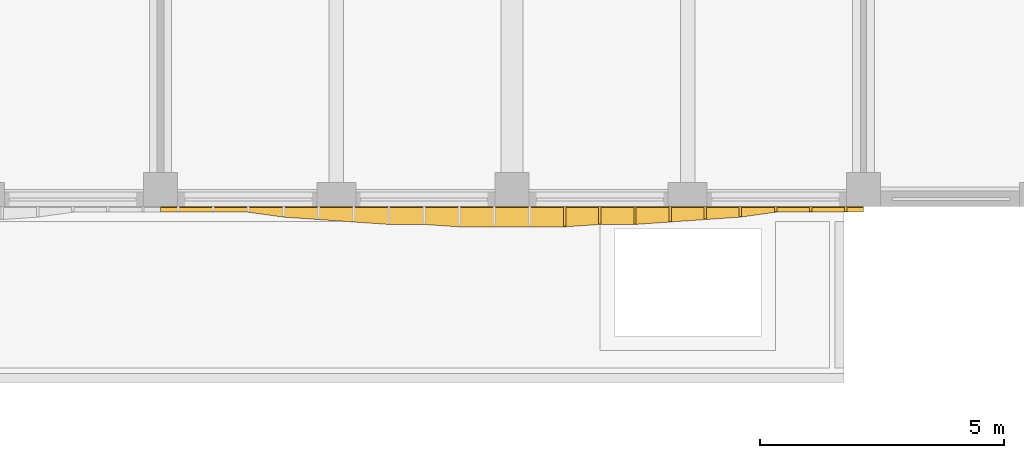
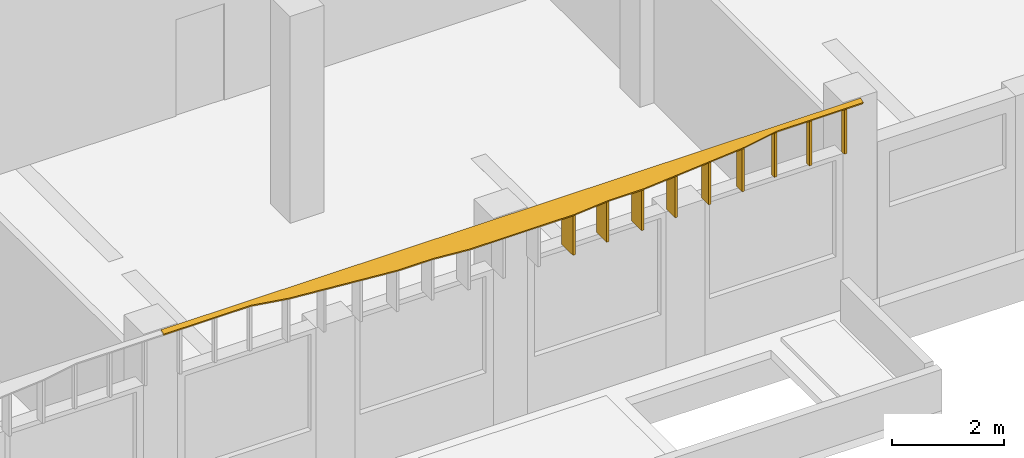
# One storey, part 53 of 59: 10 shading devices.
"""IFC4 building model written with IfcOpenShell, lengths in metres."""

from ifc_helpers import new_model, si_unit, direction, frame, origin, place, context, subcontext, project, spatial, polyline, outline, extrude, material, layer, layer_set, type_object, element, save


model = new_model("IFC4")

# Units and contexts
model_context = context("Model", 3, precision=1e-05, world=origin(), true_north=direction((0.0, 1.0)))
body_context = subcontext(model_context, "Body", "Model", "MODEL_VIEW")
ifc_project = project(units=[si_unit("LENGTHUNIT", "METRE"), si_unit("AREAUNIT", "SQUARE_METRE"), si_unit("VOLUMEUNIT", "CUBIC_METRE"), si_unit("PLANEANGLEUNIT", "RADIAN"), si_unit("MASSUNIT", "GRAM", prefix="KILO")], contexts=[model_context])

# Site, building, storey
site_placement = place(None, origin())
site = spatial("IfcSite", under=ifc_project, at=site_placement, CompositionType="ELEMENT")
building_placement = place(site_placement, origin())
building = spatial("IfcBuilding", under=site, at=building_placement, Name="Ussher Court Research Institute", CompositionType="ELEMENT")
storey_placement = place(building_placement, frame((0.0, 0.0, 5.39990234375)))
storey = spatial("IfcBuildingStorey", under=building, at=storey_placement, Name="L01", CompositionType="ELEMENT", Elevation=5.39990234375)

# Shading devices
ifc_material_1 = material(Name="Bronze anodised aluminium", Category="aluminium")
ifc_layer_1 = layer(ifc_material_1, 0.050048828125)
ifc_layer_set_1 = layer_set([ifc_layer_1], Name="Bronze anodised aluminium")
shading_device_type_1 = type_object("IfcShadingDeviceType", Name="Brim blade 100 mm deep 1000 mm high canted 20 deg dry", PredefinedType="USERDEFINED", material=ifc_layer_set_1)
for number, where, z_axis, x_axis, name in (
    (1, (81.840087890625, 68.39990234375, 3.4501953125), (0.0, 0.0, 1.0), (0.0, -1.0, 0.0), "Brim blade BS17 L01"),
    (2, (81.1201171875, 68.39990234375, 3.4501953125), (0.0, 0.0, 1.0), (0.0, -1.0, 0.0), "Brim blade BS17 L01"),
    (3, (80.39990234375, 68.39990234375, 3.4501953125), (0.0, 0.0, 1.0), (0.0, -1.0, 0.0), "Brim blade BS17 L01"),
):
    element("IfcShadingDevice", number, at=place(storey_placement, frame(where, z_axis=z_axis, x_axis=x_axis)), inside=storey, type_object=shading_device_type_1, Name=name, ObjectType="BLADE", PredefinedType="USERDEFINED", context=body_context, shape_type="SweptSolid", body=[
        extrude(outline(polyline([(0.0, 0.0), (0.099853515625, 0.0), (0.10009765625, 0.963623046875), (0.0, 1.0), (0.0, 0.0)])), frame((0.0, 0.02490234375, 0.0), z_axis=(0.0, -1.0, 0.0), x_axis=(1.0, 0.0, 0.0)), (0.0, 0.0, 1.0), 0.050048828125),
    ])
ifc_material_2 = material(Name="Bronze anodised aluminium", Category="aluminium")
ifc_layer_2 = layer(ifc_material_2, 0.050048828125)
ifc_layer_set_2 = layer_set([ifc_layer_2], Name="Bronze anodised aluminium")
shading_device_type_2 = type_object("IfcShadingDeviceType", Name="Brim blade 200 mm deep 1000 mm high canted 20 deg dry", PredefinedType="USERDEFINED", material=ifc_layer_set_2)
shading_device_1_placement = place(storey_placement, frame((79.679931640625, 68.39990234375, 3.4501953125), z_axis=(0.0, 0.0, 1.0), x_axis=(0.0, -1.0, 0.0)))
element("IfcShadingDevice", 4, at=shading_device_1_placement, inside=storey, type_object=shading_device_type_2, Name="Brim blade BS15 L01", ObjectType="BLADE", PredefinedType="USERDEFINED", context=body_context, shape_type="SweptSolid", body=[
    extrude(outline(polyline([(0.0, 0.0), (0.199951171875, 0.0), (0.199951171875, 0.927001953125), (0.0, 1.0), (0.0, 0.0)])), frame((0.0, 0.02490234375, 0.0), z_axis=(0.0, -1.0, 0.0), x_axis=(1.0, 0.0, 0.0)), (0.0, 0.0, 1.0), 0.050048828125),
])
ifc_material_3 = material(Name="Bronze anodised aluminium", Category="aluminium")
ifc_layer_3 = layer(ifc_material_3, 0.050048828125)
ifc_layer_set_3 = layer_set([ifc_layer_3], Name="Bronze anodised aluminium")
shading_device_type_3 = type_object("IfcShadingDeviceType", Name="Brim blade 250 mm deep 1000 mm high canted 20 deg dry", PredefinedType="USERDEFINED", material=ifc_layer_set_3)
shading_device_2_placement = place(storey_placement, frame((78.9599609375, 68.39990234375, 3.4501953125), z_axis=(0.0, 0.0, 1.0), x_axis=(0.0, -1.0, 0.0)))
element("IfcShadingDevice", 5, at=shading_device_2_placement, inside=storey, type_object=shading_device_type_3, Name="Brim blade BS14 L01", ObjectType="BLADE", PredefinedType="USERDEFINED", context=body_context, shape_type="SweptSolid", body=[
    extrude(outline(polyline([(0.0, 0.0), (0.25, 0.0), (0.25, 0.908935546875), (0.0, 1.0), (0.0, 0.0)])), frame((0.0, 0.02490234375, 0.0), z_axis=(0.0, -1.0, 0.0), x_axis=(1.0, 0.0, 0.0)), (0.0, 0.0, 1.0), 0.050048828125),
])
ifc_material_4 = material(Name="Bronze anodised aluminium", Category="aluminium")
ifc_layer_4 = layer(ifc_material_4, 0.050048828125)
ifc_layer_set_4 = layer_set([ifc_layer_4], Name="Bronze anodised aluminium")
shading_device_type_4 = type_object("IfcShadingDeviceType", Name="Brim blade 300 mm deep 1000 mm high canted 20 deg dry", PredefinedType="USERDEFINED", material=ifc_layer_set_4)
shading_device_3_placement = place(storey_placement, frame((78.239990234375, 68.39990234375, 3.4501953125), z_axis=(0.0, 0.0, 1.0), x_axis=(0.0, -1.0, 0.0)))
element("IfcShadingDevice", 6, at=shading_device_3_placement, inside=storey, type_object=shading_device_type_4, Name="Brim blade BS13 L01", ObjectType="BLADE", PredefinedType="USERDEFINED", context=body_context, shape_type="SweptSolid", body=[
    extrude(outline(polyline([(0.0, 0.0), (0.2998046875, 0.0), (0.300048828125, 0.890625), (0.0, 1.0), (0.0, 0.0)])), frame((0.0, 0.02490234375, 0.0), z_axis=(0.0, -1.0, 0.0), x_axis=(1.0, 0.0, 0.0)), (0.0, 0.0, 1.0), 0.050048828125),
])
ifc_material_5 = material(Name="Bronze anodised aluminium", Category="aluminium")
ifc_layer_5 = layer(ifc_material_5, 0.050048828125)
ifc_layer_set_5 = layer_set([ifc_layer_5], Name="Bronze anodised aluminium")
shading_device_type_5 = type_object("IfcShadingDeviceType", Name="Brim blade 350 mm deep 1000 mm high canted 20 deg dry", PredefinedType="USERDEFINED", material=ifc_layer_set_5)
for number, where, z_axis, x_axis, name in (
    (7, (77.52001953125, 68.39990234375, 3.4501953125), (0.0, 0.0, 1.0), (0.0, -1.0, 0.0), "Brim blade BS12 L01"),
    (8, (76.800048828125, 68.39990234375, 3.4501953125), (0.0, 0.0, 1.0), (0.0, -1.0, 0.0), "Brim blade BS12 L01"),
):
    element("IfcShadingDevice", number, at=place(storey_placement, frame(where, z_axis=z_axis, x_axis=x_axis)), inside=storey, type_object=shading_device_type_5, Name=name, ObjectType="BLADE", PredefinedType="USERDEFINED", context=body_context, shape_type="SweptSolid", body=[
        extrude(outline(polyline([(0.0, 0.0), (0.349853515625, 0.0), (0.35009765625, 0.87255859375), (0.0, 1.0), (0.0, 0.0)])), frame((0.0, 0.02490234375, 0.0), z_axis=(0.0, -1.0, 0.0), x_axis=(1.0, 0.0, 0.0)), (0.0, 0.0, 1.0), 0.050048828125),
    ])
ifc_material_6 = material(Name="Bronze anodised aluminium", Category="aluminium")
ifc_layer_6 = layer(ifc_material_6, 0.050048828125)
ifc_layer_set_6 = layer_set([ifc_layer_6], Name="Bronze anodised aluminium")
shading_device_type_6 = type_object("IfcShadingDeviceType", Name="Brim blade 400 mm deep 1000 mm high canted 20 deg dry", PredefinedType="USERDEFINED", material=ifc_layer_set_6)
shading_device_4_placement = place(storey_placement, frame((76.080078125, 68.39990234375, 3.4501953125), z_axis=(0.0, 0.0, 1.0), x_axis=(0.0, -1.0, 0.0)))
element("IfcShadingDevice", 9, at=shading_device_4_placement, inside=storey, type_object=shading_device_type_6, Name="Brim blade BS11 L01", ObjectType="BLADE", PredefinedType="USERDEFINED", context=body_context, shape_type="SweptSolid", body=[
    extrude(outline(polyline([(0.0, 0.0), (0.39990234375, 0.0), (0.39990234375, 0.854248046875), (0.0, 1.0), (0.0, 0.0)])), frame((0.0, 0.02490234375, 0.0), z_axis=(0.0, -1.0, 0.0), x_axis=(1.0, 0.0, 0.0)), (0.0, 0.0, 1.0), 0.050048828125),
])
ifc_material_7 = material(Name="Bronze anodised aluminium", Category="aluminium")
ifc_layer_7 = layer(ifc_material_7, 0.0400390625)
ifc_layer_set_7 = layer_set([ifc_layer_7], Name="Bronze anodised aluminium")
shading_device_type_7 = type_object("IfcShadingDeviceType", Name="Brim visor sheet 40 mm canted 20 deg dry", PredefinedType="USERDEFINED", material=ifc_layer_set_7)
shading_device_5_placement = place(storey_placement, frame((82.199951171875, 68.38623046875, 4.48779296875), z_axis=(0.0, -0.342400475787, 0.939554103913), x_axis=(-1.0, 0.0, 0.0)))
element("IfcShadingDevice", 10, at=shading_device_5_placement, inside=storey, type_object=shading_device_type_7, Name="Brim visor sheet BR2 L01", ObjectType="BRIM", PredefinedType="USERDEFINED", context=body_context, shape_type="SweptSolid", body=[
    extrude(outline(polyline([(0.0, 0.0), (14.39990234375, 0.0), (14.39990234375, 0.10627326645334817), (14.0400390625, 0.10627326645334817), (13.320068359375, 0.10627326645334817), (12.599853515625, 0.10627326645334817), (11.8798828125, 0.21285951009900608), (11.159912109375, 0.26606903805567605), (10.43994140625, 0.319362159878505), (9.719970703125, 0.3723423045090242), (9.0, 0.3723423045090242), (8.280029296875, 0.4256354263318532), (7.56005859375, 0.4256354263318532), (6.83984375, 0.4256354263318532), (6.119873046875, 0.4256354263318532), (5.39990234375, 0.3723423045090242), (4.679931640625, 0.3723423045090242), (3.9599609375, 0.319362159878505), (3.239990234375, 0.26606903805567605), (2.52001953125, 0.21285951009900608), (1.800048828125, 0.10627326645334817), (1.079833984375, 0.10627326645334817), (0.35986328125, 0.10627326645334817), (0.0, 0.10627326645334817), (0.0, 0.0)])), origin(), (0.0, 0.0, -1.0), 0.0400390625),
])

save(model, "model.ifc")
